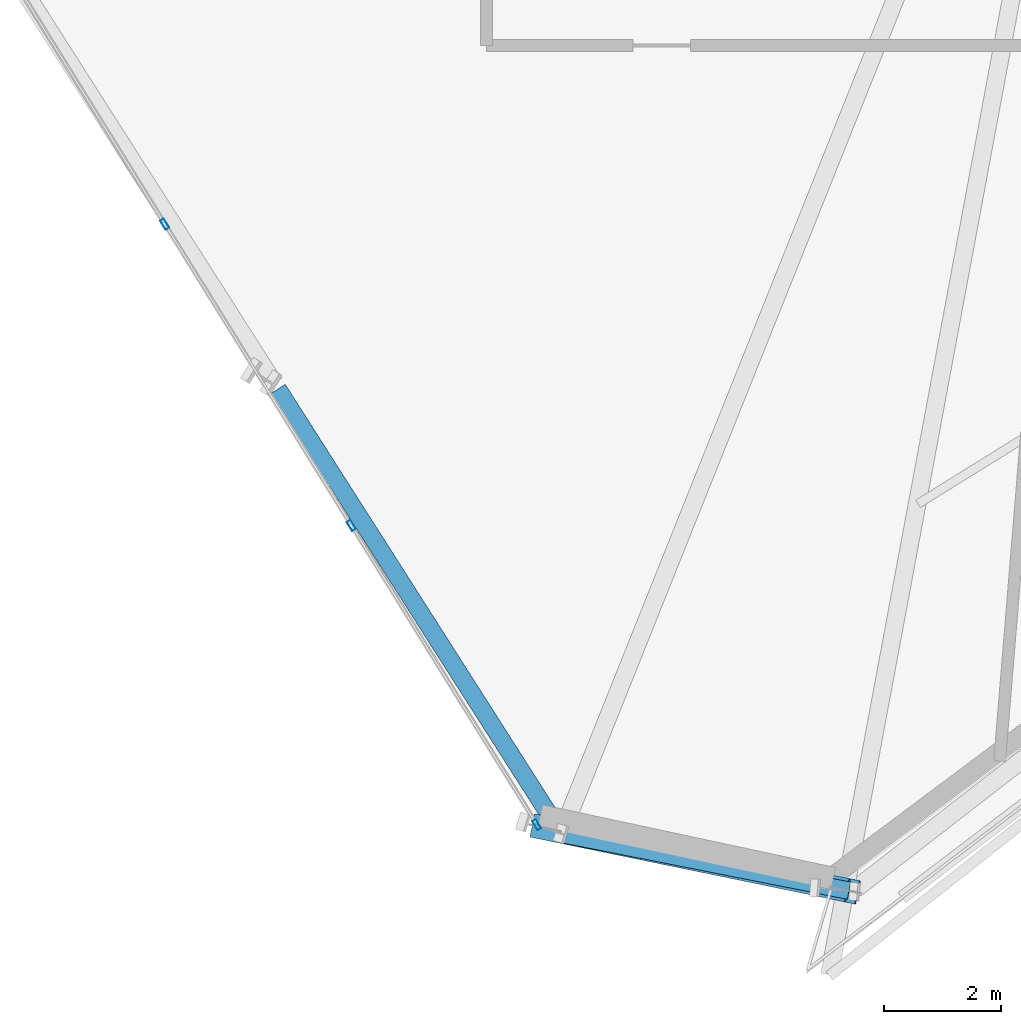
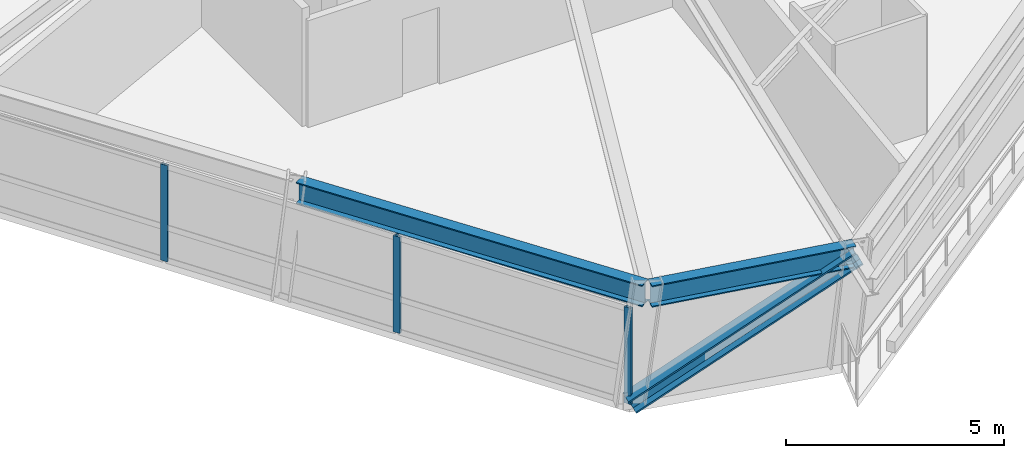
# One storey, part 2 of 18: 4 members, 2 beams, 1 element without a shape of its own.
"""IFC4 building model written with IfcOpenShell, lengths in metres."""

from ifc_helpers import new_model, si_unit, direction, frame, origin, origin_2d, place, context, subcontext, project, spatial, hollow_rectangle, i_section, extrude, source, transform, mapped, material, material_profile, profile_set, type_object, element, aggregate, save


model = new_model("IFC4")

# Units and contexts
model_context = context("Model", 3, precision=1e-05, world=origin(), true_north=direction((0.0, 1.0)))
body_context = subcontext(model_context, "Body", "Model", "MODEL_VIEW")
ifc_project = project(units=[si_unit("LENGTHUNIT", "METRE"), si_unit("AREAUNIT", "SQUARE_METRE"), si_unit("VOLUMEUNIT", "CUBIC_METRE"), si_unit("PLANEANGLEUNIT", "RADIAN"), si_unit("MASSUNIT", "GRAM", prefix="KILO")], contexts=[model_context])

# Site, building, storey
site_placement = place(None, origin())
site = spatial("IfcSite", under=ifc_project, at=site_placement, CompositionType="ELEMENT")
building_placement = place(site_placement, origin())
building = spatial("IfcBuilding", under=site, at=building_placement, Name="Olszyna Solenne Hotel", CompositionType="ELEMENT")
storey_placement = place(building_placement, frame((0.0, 0.0, 123.449951171875)))
storey = spatial("IfcBuildingStorey", under=building, at=storey_placement, Name="L32", CompositionType="ELEMENT", Elevation=123.449951171875)

# Beams
ifc_material_1 = material(Name="Steel S355J2", Category="steel")
ifc_material_profile_1 = material_profile(ifc_material_1, i_section(OverallWidth=0.300048828125, OverallDepth=0.60009765625, WebThickness=0.015380859375, FlangeThickness=0.030029296875, at=origin_2d()), Name="HEB 600", Category="load-bearing")
ifc_profile_set_1 = profile_set([ifc_material_profile_1], Name="Steel S355J2")
beam_type = type_object("IfcBeamType", Name="BM-S2", PredefinedType="BEAM", material=ifc_profile_set_1)
shared_shape_1 = source(origin(), body_context, "Body", "SweptSolid", [
    extrude(i_section(OverallWidth=0.300048828125, OverallDepth=0.60009765625, WebThickness=0.015380859375, FlangeThickness=0.030029296875, at=origin_2d()), origin(), (0.0, 0.0, 1.0), 8.930419921875),
])
beam_1_placement = place(storey_placement, frame((23.891357421875, 10.9931640625, 3.0), z_axis=(0.537678334769, -0.843150050892, 0.0), x_axis=(0.843150050892, 0.537678334769, 0.0)))
element("IfcBeam", 1, at=beam_1_placement, inside=storey, type_object=beam_type, Name="Perimeter spandrel beam BM-S2 B-L32-0964", PredefinedType="BEAM", context=body_context, shape_type="MappedRepresentation", body=[
    mapped(shared_shape_1, transform((0.0, 0.0, 0.0), x_axis=(1.0, 0.0, 0.0), y_axis=(0.0, 1.0, 0.0), z_axis=(0.0, 0.0, 1.0), scale=1.0)),
])
shared_shape_2 = source(origin(), body_context, "Body", "SweptSolid", [
    extrude(i_section(OverallWidth=0.300048828125, OverallDepth=0.60009765625, WebThickness=0.015380859375, FlangeThickness=0.030029296875, at=origin_2d()), origin(), (0.0, 0.0, 1.0), 4.938232421875),
])
beam_2_placement = place(storey_placement, frame((28.7841796875, 3.401123046875, 3.0), z_axis=(0.980962895752, -0.194195255242, 0.0), x_axis=(0.194195255242, 0.980962895752, 0.0)))
element("IfcBeam", 2, at=beam_2_placement, inside=storey, type_object=beam_type, Name="Perimeter spandrel beam BM-S2 B-L32-0965", PredefinedType="BEAM", context=body_context, shape_type="MappedRepresentation", body=[
    mapped(shared_shape_2, transform((0.0, 0.0, 0.0), x_axis=(1.0, 0.0, 0.0), y_axis=(0.0, 1.0, 0.0), z_axis=(0.0, 0.0, 1.0), scale=1.0)),
])

# Member
ifc_material_2 = material(Name="Steel S460M", Category="steel")
ifc_material_profile_2 = material_profile(ifc_material_2, i_section(OverallWidth=0.406005859375, OverallDepth=0.416015625, WebThickness=0.026611328125, FlangeThickness=0.04150390625, at=origin_2d()), Name="HD 400x382", Category="load-bearing")
ifc_profile_set_2 = profile_set([ifc_material_profile_2], Name="Steel S460M")
member_type_1 = type_object("IfcMemberType", Name="BR-T2", PredefinedType="BRACE", material=ifc_profile_set_2)
shared_shape_3 = source(origin(), body_context, "Body", "SweptSolid", [
    extrude(i_section(OverallWidth=0.406005859375, OverallDepth=0.416015625, WebThickness=0.026611328125, FlangeThickness=0.04150390625, at=origin_2d()), origin(), (0.0, 0.0, 1.0), 6.2236328125),
])
member_1_placement = place(storey_placement, frame((28.3251953125, 3.535400390625, 0.010009765625), z_axis=(0.861559535429, -0.177544891743, 0.475597496132), x_axis=(0.201832847942, 0.979419982179, 0.0)))
element("IfcMember", 3, at=member_1_placement, inside=storey, type_object=member_type_1, Name="Perimeter braced-tube diagonal BR-T2 BR-L32-3", PredefinedType="BRACE", context=body_context, shape_type="MappedRepresentation", body=[
    mapped(shared_shape_3, transform((0.0, 0.0, 0.0), x_axis=(1.0, 0.0, 0.0), y_axis=(0.0, 1.0, 0.0), z_axis=(0.0, 0.0, 1.0), scale=1.0)),
])

# Curtain wall, members
ifc_material_3 = material(Name="Anodised bronze aluminium", Category="aluminium")
curtain_wall_type = type_object("IfcCurtainWallType", Name="CW-SYS-3", PredefinedType="NOTDEFINED", material=ifc_material_3)
curtain_wall_placement = place(storey_placement, origin())
curtain_wall = element("IfcCurtainWall", 4, at=curtain_wall_placement, inside=storey, type_object=curtain_wall_type, Name="Unitised curtain wall CW-SYS-3 CW-L32-01", PredefinedType="NOTDEFINED")
ifc_material_profile_3 = material_profile(ifc_material_3, hollow_rectangle(XDim=0.074951171875, YDim=0.179931640625, WallThickness=0.00439453125, at=origin_2d()), Name="MULL 180x75x4.5", Category="load-bearing")
ifc_profile_set_3 = profile_set([ifc_material_profile_3], Name="Anodised bronze aluminium")
member_type_2 = type_object("IfcMemberType", Name="CW-M2", PredefinedType="MULLION", material=ifc_profile_set_3)
shared_shape_4 = source(origin(), body_context, "Body", "SweptSolid", [
    extrude(hollow_rectangle(XDim=0.074951171875, YDim=0.179931640625, WallThickness=0.00439453125, at=origin_2d()), origin(), (0.0, 0.0, 1.0), 2.692138671875),
])
member_2_placement = place(storey_placement, frame((21.96337890625, 13.80517578125, 0.0), z_axis=(0.0, 0.0, 1.0), x_axis=(0.850112103888, 0.52660175733, 0.0)))
member_2 = element("IfcMember", 5, at=member_2_placement, type_object=member_type_2, Name="Curtain-wall mullion CW-M2 CM-L32-01-02", PredefinedType="MULLION", context=body_context, shape_type="MappedRepresentation", body=[
    mapped(shared_shape_4, transform((0.0, 0.0, 0.0), x_axis=(1.0, 0.0, 0.0), y_axis=(0.0, 1.0, 0.0), z_axis=(0.0, 0.0, 1.0), scale=1.0)),
])
member_3_placement = place(storey_placement, frame((25.144287109375, 8.67041015625, 0.0), z_axis=(0.0, 0.0, 1.0), x_axis=(0.850112103888, 0.52660175733, 0.0)))
member_3 = element("IfcMember", 6, at=member_3_placement, type_object=member_type_2, Name="Curtain-wall mullion CW-M2 CM-L32-01-03", PredefinedType="MULLION", context=body_context, shape_type="MappedRepresentation", body=[
    mapped(shared_shape_4, transform((0.0, 0.0, 0.0), x_axis=(1.0, 0.0, 0.0), y_axis=(0.0, 1.0, 0.0), z_axis=(0.0, 0.0, 1.0), scale=1.0)),
])
member_4_placement = place(storey_placement, frame((28.305419921875, 3.5673828125, 0.0), z_axis=(0.0, 0.0, 1.0), x_axis=(0.850112103888, 0.52660175733, 0.0)))
member_4 = element("IfcMember", 7, at=member_4_placement, type_object=member_type_2, Name="Curtain-wall mullion CW-M2 CM-L32-01-04", PredefinedType="MULLION", context=body_context, shape_type="MappedRepresentation", body=[
    mapped(shared_shape_4, transform((0.0, 0.0, 0.0), x_axis=(1.0, 0.0, 0.0), y_axis=(0.0, 1.0, 0.0), z_axis=(0.0, 0.0, 1.0), scale=1.0)),
])
aggregate(curtain_wall, [member_2, member_3, member_4])

save(model, "model.ifc")
